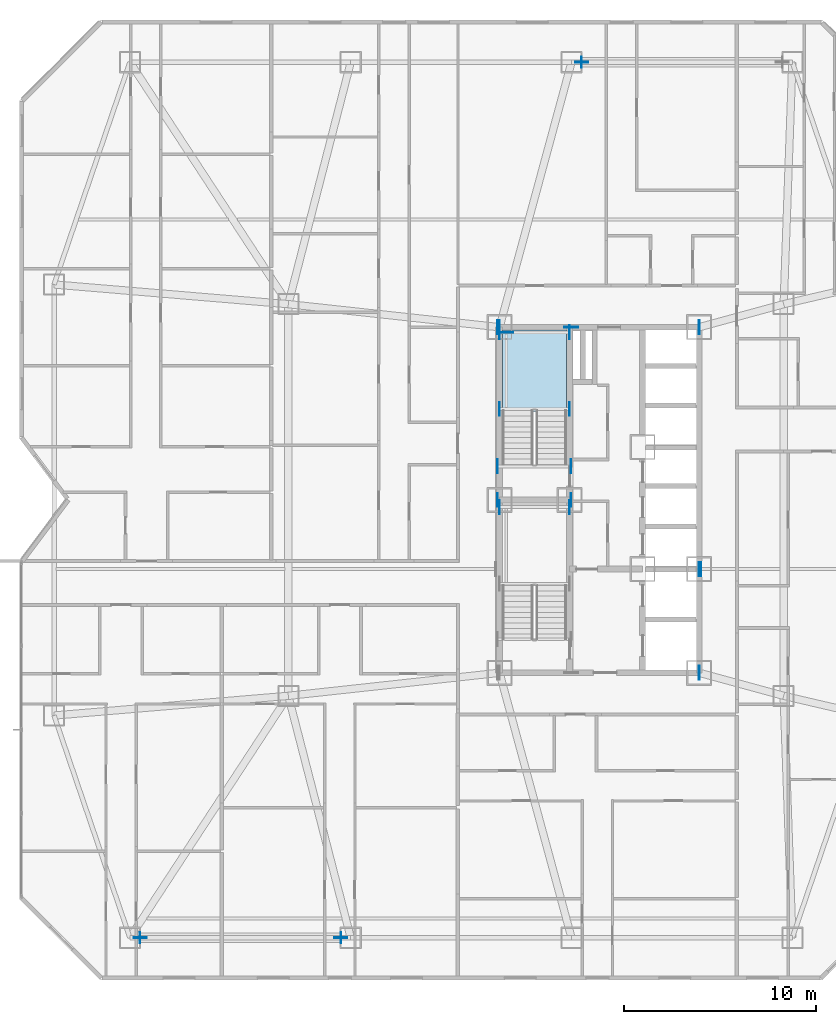
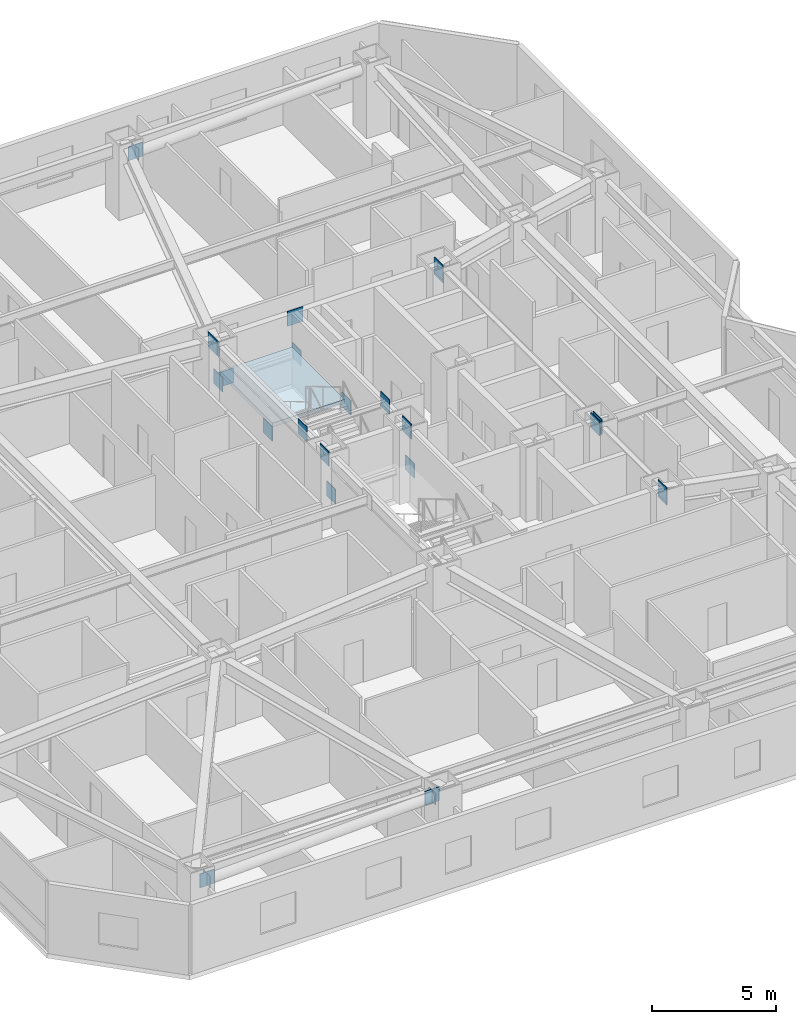
# One storey, part 9 of 19: 26 plates, 1 slab, 1 element without a shape of its own.
"""IFC4 building model written with IfcOpenShell, lengths in metres."""

from ifc_helpers import new_model, si_unit, direction, frame, origin, origin_2d, place, context, subcontext, project, spatial, polyline, rectangle, outline, extrude, material, layer, layer_set, type_object, element, aggregate, save


model = new_model("IFC4")

# Units and contexts
model_context = context("Model", 3, precision=1e-05, world=origin(), true_north=direction((0.0, 1.0)))
body_context = subcontext(model_context, "Body", "Model", "MODEL_VIEW")
ifc_project = project(units=[si_unit("LENGTHUNIT", "METRE"), si_unit("AREAUNIT", "SQUARE_METRE"), si_unit("VOLUMEUNIT", "CUBIC_METRE"), si_unit("PLANEANGLEUNIT", "RADIAN"), si_unit("MASSUNIT", "GRAM", prefix="KILO")], contexts=[model_context])

# Site, building, storey
site_placement = place(None, origin())
site = spatial("IfcSite", under=ifc_project, at=site_placement, CompositionType="ELEMENT")
building_placement = place(site_placement, origin())
building = spatial("IfcBuilding", under=site, at=building_placement, Name="Khamvora Tower", CompositionType="ELEMENT")
storey_placement = place(building_placement, frame((0.0, 0.0, 58.85009765625)))
storey = spatial("IfcBuildingStorey", under=building, at=storey_placement, Name="L14", CompositionType="ELEMENT", Elevation=58.85009765625)

# Plates
ifc_material_1 = material(Name="Steel S355", Category="steel")
ifc_layer_1 = layer(ifc_material_1, 0.02490234375)
ifc_layer_set_1 = layer_set([ifc_layer_1], Name="Steel S355")
plate_type_1 = type_object("IfcPlateType", Name="PL-CAP-25", PredefinedType="SHEET", material=ifc_layer_set_1)
for number, where, z_axis, x_axis, name in (
    (1, (10.26806640625, 5.199951171875, 2.416015625), (0.0, 0.0, 1.0), (1.0, 0.0, 0.0), "L14 hollow section steel end cap plate 0584"),
    (2, (20.73193359375, 5.199951171875, 2.81689453125), (0.0, 0.0, 1.0), (1.0, 0.0, 0.0), "L14 hollow section steel end cap plate 0585"),
    (3, (33.26806640625, 50.800048828125, 2.416015625), (0.0, 0.0, 1.0), (1.0, 0.0, 0.0), "L14 hollow section steel end cap plate 0586"),
):
    element("IfcPlate", number, at=place(storey_placement, frame(where, z_axis=z_axis, x_axis=x_axis)), inside=storey, type_object=plate_type_1, Name=name, PredefinedType="SHEET", context=body_context, shape_type="SweptSolid", body=[
        extrude(rectangle(XDim=0.02490234375, YDim=0.568115234375, at=origin_2d()), origin(), (0.0, 0.0, 1.0), 0.568115234375),
    ])
ifc_material_2 = material(Name="Steel S460", Category="steel")
ifc_layer_2 = layer(ifc_material_2, 0.034912109375)
ifc_layer_set_2 = layer_set([ifc_layer_2], Name="Steel S460")
plate_type_2 = type_object("IfcPlateType", Name="PL-EMB-35", PredefinedType="SHEET", material=ifc_layer_set_2)
for number, where, z_axis, x_axis, name in (
    (4, (29.0, 27.6298828125, 1.1337890625), (0.0, 0.0, 1.0), (1.0, 0.0, 0.0), "L14 core shear wall cast-in embed plate 0424"),
    (5, (32.64990234375, 27.6298828125, 1.1337890625), (0.0, 0.0, 1.0), (1.0, 0.0, 0.0), "L14 core shear wall cast-in embed plate 0425"),
    (6, (29.0, 32.735107421875, 1.1337890625), (0.0, 0.0, 1.0), (1.0, 0.0, 0.0), "L14 core shear wall cast-in embed plate 0426"),
    (7, (32.64990234375, 32.735107421875, 1.1337890625), (0.0, 0.0, 1.0), (1.0, 0.0, 0.0), "L14 core shear wall cast-in embed plate 0427"),
    (8, (29.0, 36.72998046875, 1.1337890625), (0.0, 0.0, 1.0), (1.0, 0.0, 0.0), "L14 core shear wall cast-in embed plate 0428"),
    (9, (32.64990234375, 36.72998046875, 1.1337890625), (0.0, 0.0, 1.0), (1.0, 0.0, 0.0), "L14 core shear wall cast-in embed plate 0429"),
):
    element("IfcPlate", number, at=place(storey_placement, frame(where, z_axis=z_axis, x_axis=x_axis)), inside=storey, type_object=plate_type_2, Name=name, PredefinedType="SHEET", context=body_context, shape_type="SweptSolid", body=[
        extrude(rectangle(XDim=0.034912109375, YDim=0.719970703125, at=origin_2d()), origin(), (0.0, 0.0, 1.0), 0.719970703125),
    ])
plate_1_placement = place(storey_placement, frame((29.35009765625, 36.72998046875, 1.1337890625), z_axis=(0.0, 0.0, 1.0), x_axis=(1.0, 0.0, 0.0)))
element("IfcPlate", 10, at=plate_1_placement, inside=storey, type_object=plate_type_2, Name="L14 core shear wall cast-in embed plate 0430", PredefinedType="SHEET", context=body_context, shape_type="SweptSolid", body=[
    extrude(rectangle(XDim=0.719970703125, YDim=0.034912109375, at=origin_2d()), origin(), (0.0, 0.0, 1.0), 0.719970703125),
])
for number, where, z_axis, x_axis, name in (
    (11, (29.0, 37.0, 2.68408203125), (0.0, 0.0, 1.0), (1.0, 0.0, 0.0), "L14 core shear wall cast-in embed plate 0432"),
    (12, (39.39990234375, 19.0, 2.68408203125), (0.0, 0.0, 1.0), (1.0, 0.0, 0.0), "L14 core shear wall cast-in embed plate 0433"),
    (13, (39.39990234375, 37.0, 2.68408203125), (0.0, 0.0, 1.0), (1.0, 0.0, 0.0), "L14 core shear wall cast-in embed plate 0434"),
    (14, (28.89990234375, 28.0, 2.8037109375), (0.0, 0.0, 1.0), (1.0, 0.0, 0.0), "L14 core shear wall cast-in embed plate 0436"),
    (15, (28.89990234375, 37.0, 2.8037109375), (0.0, 0.0, 1.0), (1.0, 0.0, 0.0), "L14 core shear wall cast-in embed plate 0437"),
    (16, (32.72998046875, 28.0, 2.8037109375), (0.0, 0.0, 1.0), (1.0, 0.0, 0.0), "L14 core shear wall cast-in embed plate 0439"),
):
    element("IfcPlate", number, at=place(storey_placement, frame(where, z_axis=z_axis, x_axis=x_axis)), inside=storey, type_object=plate_type_2, Name=name, PredefinedType="SHEET", context=body_context, shape_type="SweptSolid", body=[
        extrude(rectangle(XDim=0.034912109375, YDim=0.719970703125, at=origin_2d()), origin(), (0.0, 0.0, 1.0), 0.719970703125),
    ])
plate_2_placement = place(storey_placement, frame((32.72998046875, 37.0, 2.8037109375), z_axis=(0.0, 0.0, 1.0), x_axis=(1.0, 0.0, 0.0)))
element("IfcPlate", 17, at=plate_2_placement, inside=storey, type_object=plate_type_2, Name="L14 core shear wall cast-in embed plate 0440", PredefinedType="SHEET", context=body_context, shape_type="SweptSolid", body=[
    extrude(rectangle(XDim=0.719970703125, YDim=0.034912109375, at=origin_2d()), origin(), (0.0, 0.0, 1.0), 0.719970703125),
])
for number, where, z_axis, x_axis, name in (
    (18, (39.39990234375, 19.0, 2.8037109375), (0.0, 0.0, 1.0), (1.0, 0.0, 0.0), "L14 core shear wall cast-in embed plate 0441"),
    (19, (39.39990234375, 24.39990234375, 2.8037109375), (0.0, 0.0, 1.0), (1.0, 0.0, 0.0), "L14 core shear wall cast-in embed plate 0442"),
    (20, (39.39990234375, 37.0, 2.8037109375), (0.0, 0.0, 1.0), (1.0, 0.0, 0.0), "L14 core shear wall cast-in embed plate 0443"),
    (21, (28.89990234375, 29.75, 2.94384765625), (0.0, 0.0, 1.0), (1.0, 0.0, 0.0), "L14 core shear wall cast-in embed plate 0446"),
    (22, (32.72998046875, 29.75, 2.94384765625), (0.0, 0.0, 1.0), (1.0, 0.0, 0.0), "L14 core shear wall cast-in embed plate 0447"),
    (23, (39.4990234375, 24.39990234375, 2.83984375), (0.0, 0.0, 1.0), (1.0, 0.0, 0.0), "L14 core shear wall cast-in embed plate 0449"),
):
    element("IfcPlate", number, at=place(storey_placement, frame(where, z_axis=z_axis, x_axis=x_axis)), inside=storey, type_object=plate_type_2, Name=name, PredefinedType="SHEET", context=body_context, shape_type="SweptSolid", body=[
        extrude(rectangle(XDim=0.034912109375, YDim=0.719970703125, at=origin_2d()), origin(), (0.0, 0.0, 1.0), 0.719970703125),
    ])
ifc_layer_3 = layer(ifc_material_2, 0.0400390625)
ifc_layer_set_3 = layer_set([ifc_layer_3], Name="Steel S460")
plate_type_3 = type_object("IfcPlateType", Name="PLT-GUS-40", PredefinedType="SHEET", material=ifc_layer_set_3)
for number, where, z_axis, x_axis, name in (
    (24, (10.280029296875, 5.199951171875, 2.35986328125), (0.0, 0.0, 1.0), (1.0, 0.0, 0.0), "L14 brace connection node gusset plate 0101"),
    (25, (20.719970703125, 5.199951171875, 2.7607421875), (0.0, 0.0, 1.0), (1.0, 0.0, 0.0), "L14 brace connection node gusset plate 0102"),
    (26, (33.280029296875, 50.800048828125, 2.35986328125), (0.0, 0.0, 1.0), (1.0, 0.0, 0.0), "L14 brace connection node gusset plate 0103"),
):
    element("IfcPlate", number, at=place(storey_placement, frame(where, z_axis=z_axis, x_axis=x_axis)), inside=storey, type_object=plate_type_3, Name=name, PredefinedType="SHEET", context=body_context, shape_type="SweptSolid", body=[
        extrude(rectangle(XDim=0.679931640625, YDim=0.0400390625, at=origin_2d()), origin(), (0.0, 0.0, 1.0), 0.679931640625),
    ])

# Stair, slab
ifc_material_3 = material(Name="Concrete C40/50", Category="concrete")
stair_type = type_object("IfcStairType", Name="STR-ST-02", PredefinedType="HALF_TURN_STAIR", material=ifc_material_3)
stair_placement = place(storey_placement, origin())
stair = element("IfcStair", 27, at=stair_placement, inside=storey, type_object=stair_type, Name="L14 North Tower Exit Stair ST-02", PredefinedType="HALF_TURN_STAIR")
ifc_layer_4 = layer(ifc_material_3, 0.199951171875)
ifc_layer_set_4 = layer_set([ifc_layer_4], Name="Concrete C40/50")
slab_type = type_object("IfcSlabType", Name="SLB-LND-200", PredefinedType="LANDING", material=ifc_layer_set_4)
slab_placement = place(storey_placement, frame((0.0, 0.0, 1.625)))
slab = element("IfcSlab", 28, at=slab_placement, type_object=slab_type, Name="ST-02 landing 1", PredefinedType="LANDING", context=body_context, shape_type="SweptSolid", body=[
    extrude(outline(polyline([(32.5, 32.614990234375), (32.5, 36.85009765625), (29.14990234375, 36.85009765625), (29.14990234375, 32.614990234375), (32.5, 32.614990234375)])), origin(), (0.0, 0.0, 1.0), 0.199951171875),
])
aggregate(stair, [slab])

save(model, "model.ifc")
